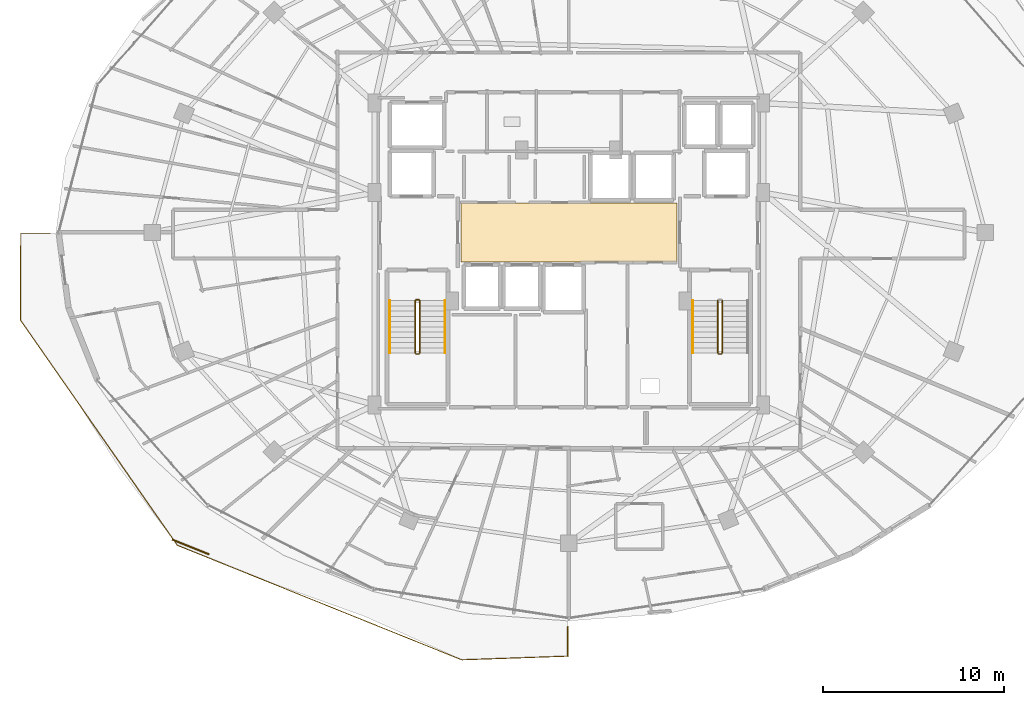
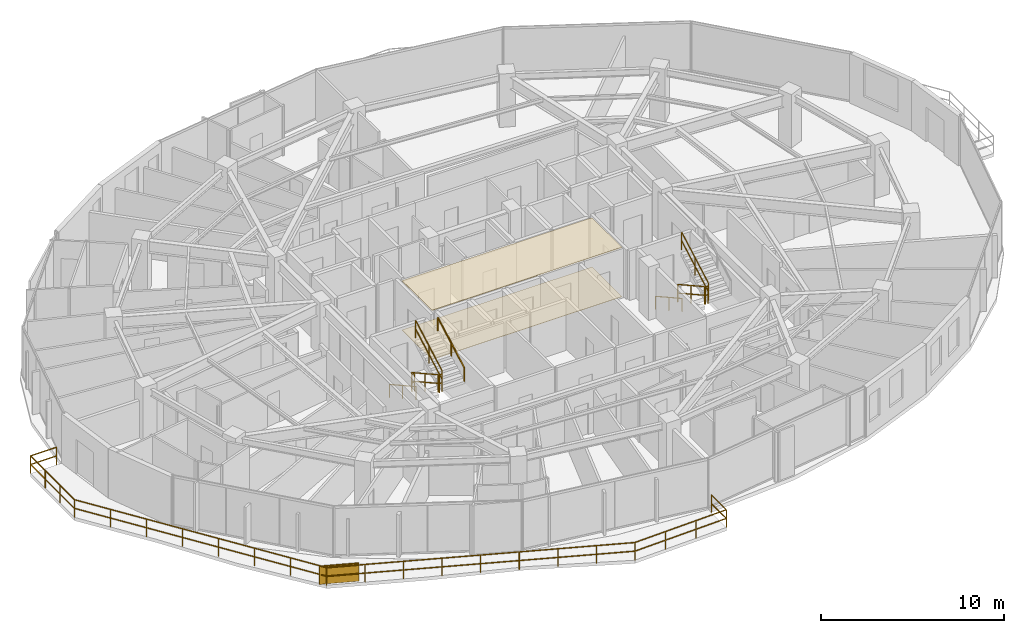
# One storey, part 31 of 33: 12 railings, 2 coverings, 1 shading device.
"""IFC4 building model written with IfcOpenShell, lengths in metres."""

from ifc_helpers import new_model, si_unit, direction, frame, origin, origin_2d, place, context, subcontext, project, spatial, polyline, rectangle, outline, extrude, material, layer, layer_set, type_object, element, save


model = new_model("IFC4")

# Units and contexts
model_context = context("Model", 3, precision=1e-05, world=origin(), true_north=direction((0.0, 1.0)))
body_context = subcontext(model_context, "Body", "Model", "MODEL_VIEW")
ifc_project = project(units=[si_unit("LENGTHUNIT", "METRE"), si_unit("AREAUNIT", "SQUARE_METRE"), si_unit("VOLUMEUNIT", "CUBIC_METRE"), si_unit("PLANEANGLEUNIT", "RADIAN"), si_unit("MASSUNIT", "GRAM", prefix="KILO")], contexts=[model_context])

# Site, building, storey
site_placement = place(None, origin())
site = spatial("IfcSite", under=ifc_project, at=site_placement, CompositionType="ELEMENT")
building_placement = place(site_placement, origin())
building = spatial("IfcBuilding", under=site, at=building_placement, Name="Vorneva Point Tower", CompositionType="ELEMENT")
storey_placement = place(building_placement, frame((0.0, 0.0, 200.10009765625)))
storey = spatial("IfcBuildingStorey", under=building, at=storey_placement, Name="L54", CompositionType="ELEMENT", Elevation=200.10009765625)

# Coverings
ifc_material_1 = material(Name="Perforated acoustic aluminium baffle ceiling", Category="aluminium")
ifc_layer_1 = layer(ifc_material_1, 0.030029296875)
ifc_layer_set_1 = layer_set([ifc_layer_1], Name="Perforated acoustic aluminium baffle ceiling")
covering_type_1 = type_object("IfcCoveringType", Name="COV-CEIL-BAF", PredefinedType="CEILING", material=ifc_layer_set_1)
covering_1_placement = place(storey_placement, frame((0.0, 0.0, 3.260009765625)))
element("IfcCovering", 1, at=covering_1_placement, inside=storey, type_object=covering_type_1, Name="L54 Lift Lobby Acoustic Baffle Ceiling", PredefinedType="CEILING", context=body_context, shape_type="SweptSolid", body=[
    extrude(outline(polyline([(32.02001953125, 24.3701171875), (43.97998046875, 24.3701171875), (43.97998046875, 27.6298828125), (32.02001953125, 27.6298828125), (32.02001953125, 24.3701171875)])), origin(), (0.0, 0.0, 1.0), 0.034912109375),
])
ifc_material_2 = material(Name="Acoustic wool hospitality carpet", Category="textile")
ifc_layer_2 = layer(ifc_material_2, 0.01806640625)
ifc_layer_set_2 = layer_set([ifc_layer_2], Name="Acoustic wool hospitality carpet")
covering_type_2 = type_object("IfcCoveringType", Name="COV-FLR-CRP", PredefinedType="FLOORING", material=ifc_layer_set_2)
covering_2_placement = place(storey_placement, frame((0.0, 0.0, -0.005126953125)))
element("IfcCovering", 2, at=covering_2_placement, inside=storey, type_object=covering_type_2, Name="L54 Lift Lobby Floor Finish", PredefinedType="FLOORING", context=body_context, shape_type="SweptSolid", body=[
    extrude(outline(polyline([(32.02001953125, 24.3701171875), (43.97998046875, 24.3701171875), (43.97998046875, 27.6298828125), (32.02001953125, 27.6298828125), (32.02001953125, 24.3701171875)])), origin(), (0.0, 0.0, 1.0), 0.02294921875),
])

# Railings
ifc_material_3 = material(Name="Pale anodised aluminium", Category="aluminium")
railing_type_1 = type_object("IfcRailingType", Name="RL-BAL-1200", PredefinedType="BALUSTRADE", material=ifc_material_3)
railing_1_placement = place(storey_placement, frame((37.949951171875, 2.54833984375, 0.0)))
element("IfcRailing", 3, at=railing_1_placement, inside=storey, type_object=railing_type_1, Name="L54 Wave Balcony Balustrade SW.1", PredefinedType="BALUSTRADE", context=body_context, shape_type="SweptSolid", body=[
    extrude(rectangle(XDim=0.048095703125, YDim=0.048095703125, at=origin_2d()), frame((0.0, 0.0, 1.17578125), z_axis=(0.0, 1.0, 0.0), x_axis=(-1.0, 0.0, 0.0)), (0.0, 0.0, 1.0), 1.634521484375),
    extrude(rectangle(XDim=0.048095703125, YDim=0.048095703125, at=origin_2d()), frame((0.0, 0.0, 0.60009765625), z_axis=(0.0, 1.0, 0.0), x_axis=(-1.0, 0.0, 0.0)), (0.0, 0.0, 1.0), 1.634521484375),
    extrude(rectangle(XDim=0.0419921875, YDim=0.0419921875, at=origin_2d()), origin(), (0.0, 0.0, 1.0), 1.15185546875),
    extrude(rectangle(XDim=0.0419921875, YDim=0.0419921875, at=origin_2d()), frame((0.0, 1.634521484375, 0.0)), (0.0, 0.0, 1.0), 1.15185546875),
])
railing_2_placement = place(storey_placement, frame((9.3037109375, 25.949951171875, 0.0)))
element("IfcRailing", 4, at=railing_2_placement, inside=storey, type_object=railing_type_1, Name="L54 Wave Balcony Balustrade SW.2", PredefinedType="BALUSTRADE", context=body_context, shape_type="SweptSolid", body=[
    extrude(rectangle(XDim=0.048095703125, YDim=0.048095703125, at=origin_2d()), frame((0.0, 0.0, 1.17578125), z_axis=(-1.0, 0.0, 0.0), x_axis=(0.0, -1.0, 0.0)), (0.0, 0.0, 1.0), 1.6337890625),
    extrude(rectangle(XDim=0.048095703125, YDim=0.048095703125, at=origin_2d()), frame((0.0, 0.0, 0.60009765625), z_axis=(-1.0, 0.0, 0.0), x_axis=(0.0, -1.0, 0.0)), (0.0, 0.0, 1.0), 1.6337890625),
    extrude(rectangle(XDim=0.048095703125, YDim=0.048095703125, at=origin_2d()), frame((-1.6337890625, 0.0, 1.17578125), z_axis=(-0.003354150975, -0.99999437482, 0.0), x_axis=(0.99999437482, -0.003354150975, 0.0)), (0.0, 0.0, 1.0), 4.803955078125),
    extrude(rectangle(XDim=0.048095703125, YDim=0.048095703125, at=origin_2d()), frame((-1.6337890625, 0.0, 0.60009765625), z_axis=(-0.003354150975, -0.99999437482, 0.0), x_axis=(0.99999437482, -0.003354150975, 0.0)), (0.0, 0.0, 1.0), 4.803955078125),
    extrude(rectangle(XDim=0.048095703125, YDim=0.048095703125, at=origin_2d()), frame((-1.64990234375, -4.803955078125, 1.17578125), z_axis=(0.571489307162, -0.820609512374, 0.0), x_axis=(0.820609512374, 0.571489307162, 0.0)), (0.0, 0.0, 1.0), 15.185302734375),
    extrude(rectangle(XDim=0.048095703125, YDim=0.048095703125, at=origin_2d()), frame((-1.64990234375, -4.803955078125, 0.60009765625), z_axis=(0.571489307162, -0.820609512374, 0.0), x_axis=(0.820609512374, 0.571489307162, 0.0)), (0.0, 0.0, 1.0), 15.185302734375),
    extrude(rectangle(XDim=0.048095703125, YDim=0.048095703125, at=origin_2d()), frame((7.0283203125, -17.26513671875, 1.17578125), z_axis=(0.927629084928, -0.373502718591, 0.0), x_axis=(0.373502718591, 0.927629084928, 0.0)), (0.0, 0.0, 1.0), 16.97265625),
    extrude(rectangle(XDim=0.048095703125, YDim=0.048095703125, at=origin_2d()), frame((7.0283203125, -17.26513671875, 0.60009765625), z_axis=(0.927629084928, -0.373502718591, 0.0), x_axis=(0.373502718591, 0.927629084928, 0.0)), (0.0, 0.0, 1.0), 16.97265625),
    extrude(rectangle(XDim=0.048095703125, YDim=0.048095703125, at=origin_2d()), frame((22.772705078125, -23.6044921875, 1.17578125), z_axis=(0.99940397483, 0.034520937031, 0.0), x_axis=(-0.034520937031, 0.99940397483, 0.0)), (0.0, 0.0, 1.0), 5.876953125),
    extrude(rectangle(XDim=0.048095703125, YDim=0.048095703125, at=origin_2d()), frame((22.772705078125, -23.6044921875, 0.60009765625), z_axis=(0.99940397483, 0.034520937031, 0.0), x_axis=(-0.034520937031, 0.99940397483, 0.0)), (0.0, 0.0, 1.0), 5.876953125),
    extrude(rectangle(XDim=0.0419921875, YDim=0.0419921875, at=origin_2d()), origin(), (0.0, 0.0, 1.0), 1.15185546875),
    extrude(rectangle(XDim=0.0419921875, YDim=0.0419921875, at=origin_2d()), frame((-1.6337890625, 0.0, 0.0)), (0.0, 0.0, 1.0), 1.15185546875),
    extrude(rectangle(XDim=0.0419921875, YDim=0.0419921875, at=origin_2d()), frame((-1.63916015625, -1.601318359375, 0.0)), (0.0, 0.0, 1.0), 1.15185546875),
    extrude(rectangle(XDim=0.0419921875, YDim=0.0419921875, at=origin_2d()), frame((-1.64453125, -3.20263671875, 0.0)), (0.0, 0.0, 1.0), 1.15185546875),
    extrude(rectangle(XDim=0.0419921875, YDim=0.0419921875, at=origin_2d()), frame((-1.64990234375, -4.803955078125, 0.0)), (0.0, 0.0, 1.0), 1.15185546875),
    extrude(rectangle(XDim=0.0419921875, YDim=0.0419921875, at=origin_2d()), frame((-0.41015625, -6.584228515625, 0.0)), (0.0, 0.0, 1.0), 1.15185546875),
    extrude(rectangle(XDim=0.0419921875, YDim=0.0419921875, at=origin_2d()), frame((0.82958984375, -8.3642578125, 0.0)), (0.0, 0.0, 1.0), 1.15185546875),
    extrude(rectangle(XDim=0.0419921875, YDim=0.0419921875, at=origin_2d()), frame((2.0693359375, -10.14453125, 0.0)), (0.0, 0.0, 1.0), 1.15185546875),
    extrude(rectangle(XDim=0.0419921875, YDim=0.0419921875, at=origin_2d()), frame((3.30908203125, -11.924560546875, 0.0)), (0.0, 0.0, 1.0), 1.15185546875),
    extrude(rectangle(XDim=0.0419921875, YDim=0.0419921875, at=origin_2d()), frame((4.548828125, -13.704833984375, 0.0)), (0.0, 0.0, 1.0), 1.15185546875),
    extrude(rectangle(XDim=0.0419921875, YDim=0.0419921875, at=origin_2d()), frame((5.78857421875, -15.48486328125, 0.0)), (0.0, 0.0, 1.0), 1.15185546875),
    extrude(rectangle(XDim=0.0419921875, YDim=0.0419921875, at=origin_2d()), frame((7.0283203125, -17.26513671875, 0.0)), (0.0, 0.0, 1.0), 1.15185546875),
    extrude(rectangle(XDim=0.0419921875, YDim=0.0419921875, at=origin_2d()), frame((8.996337890625, -18.0576171875, 0.0)), (0.0, 0.0, 1.0), 1.15185546875),
    extrude(rectangle(XDim=0.0419921875, YDim=0.0419921875, at=origin_2d()), frame((10.96435546875, -18.85009765625, 0.0)), (0.0, 0.0, 1.0), 1.15185546875),
    extrude(rectangle(XDim=0.0419921875, YDim=0.0419921875, at=origin_2d()), frame((12.932373046875, -19.642333984375, 0.0)), (0.0, 0.0, 1.0), 1.15185546875),
    extrude(rectangle(XDim=0.0419921875, YDim=0.0419921875, at=origin_2d()), frame((14.900390625, -20.434814453125, 0.0)), (0.0, 0.0, 1.0), 1.15185546875),
    extrude(rectangle(XDim=0.0419921875, YDim=0.0419921875, at=origin_2d()), frame((16.86865234375, -21.227294921875, 0.0)), (0.0, 0.0, 1.0), 1.15185546875),
    extrude(rectangle(XDim=0.0419921875, YDim=0.0419921875, at=origin_2d()), frame((18.836669921875, -22.01953125, 0.0)), (0.0, 0.0, 1.0), 1.15185546875),
    extrude(rectangle(XDim=0.0419921875, YDim=0.0419921875, at=origin_2d()), frame((20.8046875, -22.81201171875, 0.0)), (0.0, 0.0, 1.0), 1.15185546875),
    extrude(rectangle(XDim=0.0419921875, YDim=0.0419921875, at=origin_2d()), frame((22.772705078125, -23.6044921875, 0.0)), (0.0, 0.0, 1.0), 1.15185546875),
    extrude(rectangle(XDim=0.0419921875, YDim=0.0419921875, at=origin_2d()), frame((24.73046875, -23.536865234375, 0.0)), (0.0, 0.0, 1.0), 1.15185546875),
    extrude(rectangle(XDim=0.0419921875, YDim=0.0419921875, at=origin_2d()), frame((26.6884765625, -23.46923828125, 0.0)), (0.0, 0.0, 1.0), 1.15185546875),
    extrude(rectangle(XDim=0.0419921875, YDim=0.0419921875, at=origin_2d()), frame((28.646240234375, -23.401611328125, 0.0)), (0.0, 0.0, 1.0), 1.15185546875),
])
ifc_material_4 = material(Name="Brushed stainless steel S304", Category="steel")
railing_type_2 = type_object("IfcRailingType", Name="RL-HND-920", PredefinedType="HANDRAIL", material=ifc_material_4)
railing_3_placement = place(storey_placement, frame((28.10009765625, 22.219970703125, 0.161376953125)))
element("IfcRailing", 5, at=railing_3_placement, inside=storey, type_object=railing_type_2, Name="L54 ST1 stair handrail 1", PredefinedType="HANDRAIL", context=body_context, shape_type="SweptSolid", body=[
    extrude(rectangle(XDim=0.048095703125, YDim=0.048095703125, at=origin_2d()), frame((0.0, 0.0, 0.8759765625), z_axis=(0.0, -0.873841303929, 0.486211245805), x_axis=(1.0, 0.0, 0.0)), (0.0, 0.0, 1.0), 3.318603515625),
    extrude(rectangle(XDim=0.0419921875, YDim=0.0419921875, at=origin_2d()), origin(), (0.0, 0.0, 1.0), 0.851806640625),
    extrude(rectangle(XDim=0.0419921875, YDim=0.0419921875, at=origin_2d()), frame((0.0, -1.449951171875, 0.806640625)), (0.0, 0.0, 1.0), 0.851806640625),
    extrude(rectangle(XDim=0.0419921875, YDim=0.0419921875, at=origin_2d()), frame((0.0, -2.89990234375, 1.613525390625)), (0.0, 0.0, 1.0), 0.851806640625),
])
railing_4_placement = place(storey_placement, frame((31.14990234375, 19.320068359375, 1.936279296875)))
element("IfcRailing", 6, at=railing_4_placement, inside=storey, type_object=railing_type_2, Name="L54 ST1 stair handrail 2", PredefinedType="HANDRAIL", context=body_context, shape_type="SweptSolid", body=[
    extrude(rectangle(XDim=0.048095703125, YDim=0.048095703125, at=origin_2d()), frame((0.0, 0.0, 0.8759765625), z_axis=(0.0, 0.873841303929, 0.486211245805), x_axis=(-1.0, 0.0, 0.0)), (0.0, 0.0, 1.0), 3.318603515625),
    extrude(rectangle(XDim=0.0419921875, YDim=0.0419921875, at=origin_2d()), origin(), (0.0, 0.0, 1.0), 0.851806640625),
    extrude(rectangle(XDim=0.0419921875, YDim=0.0419921875, at=origin_2d()), frame((0.0, 1.449951171875, 0.806640625)), (0.0, 0.0, 1.0), 0.851806640625),
    extrude(rectangle(XDim=0.0419921875, YDim=0.0419921875, at=origin_2d()), frame((0.0, 2.89990234375, 1.613525390625)), (0.0, 0.0, 1.0), 0.851806640625),
])
railing_5_placement = place(storey_placement, frame((44.85009765625, 22.219970703125, 0.161376953125)))
element("IfcRailing", 7, at=railing_5_placement, inside=storey, type_object=railing_type_2, Name="L54 ST2 stair handrail 1", PredefinedType="HANDRAIL", context=body_context, shape_type="SweptSolid", body=[
    extrude(rectangle(XDim=0.048095703125, YDim=0.048095703125, at=origin_2d()), frame((0.0, 0.0, 0.8759765625), z_axis=(0.0, -0.873841303929, 0.486211245805), x_axis=(1.0, 0.0, 0.0)), (0.0, 0.0, 1.0), 3.318603515625),
    extrude(rectangle(XDim=0.0419921875, YDim=0.0419921875, at=origin_2d()), origin(), (0.0, 0.0, 1.0), 0.851806640625),
    extrude(rectangle(XDim=0.0419921875, YDim=0.0419921875, at=origin_2d()), frame((0.0, -1.449951171875, 0.806640625)), (0.0, 0.0, 1.0), 0.851806640625),
    extrude(rectangle(XDim=0.0419921875, YDim=0.0419921875, at=origin_2d()), frame((0.0, -2.89990234375, 1.613525390625)), (0.0, 0.0, 1.0), 0.851806640625),
])
railing_type_3 = type_object("IfcRailingType", Name="RL-STG-1100", PredefinedType="GUARDRAIL", material=ifc_material_4)
railing_6_placement = place(storey_placement, frame((29.5, 22.219970703125, 0.161376953125)))
element("IfcRailing", 8, at=railing_6_placement, inside=storey, type_object=railing_type_3, Name="L54 ST1 stair guard 1", PredefinedType="GUARDRAIL", context=body_context, shape_type="SweptSolid", body=[
    extrude(rectangle(XDim=0.048095703125, YDim=0.048095703125, at=origin_2d()), frame((0.0, 0.0, 1.17578125), z_axis=(0.0, -0.873841303929, 0.486211245805), x_axis=(1.0, 0.0, 0.0)), (0.0, 0.0, 1.0), 3.318603515625),
    extrude(rectangle(XDim=0.048095703125, YDim=0.048095703125, at=origin_2d()), frame((0.0, 0.0, 0.60009765625), z_axis=(0.0, -0.873841303929, 0.486211245805), x_axis=(1.0, 0.0, 0.0)), (0.0, 0.0, 1.0), 3.318603515625),
    extrude(rectangle(XDim=0.0419921875, YDim=0.0419921875, at=origin_2d()), origin(), (0.0, 0.0, 1.0), 1.15185546875),
    extrude(rectangle(XDim=0.0419921875, YDim=0.0419921875, at=origin_2d()), frame((0.0, -1.449951171875, 0.806640625)), (0.0, 0.0, 1.0), 1.15185546875),
    extrude(rectangle(XDim=0.0419921875, YDim=0.0419921875, at=origin_2d()), frame((0.0, -2.89990234375, 1.613525390625)), (0.0, 0.0, 1.0), 1.15185546875),
])
railing_7_placement = place(storey_placement, frame((29.550048828125, 19.27001953125, 1.77490234375)))
element("IfcRailing", 9, at=railing_7_placement, inside=storey, type_object=railing_type_3, Name="L54 ST1 stair guard 2", PredefinedType="GUARDRAIL", context=body_context, shape_type="SweptSolid", body=[
    extrude(rectangle(XDim=0.048095703125, YDim=0.048095703125, at=origin_2d()), frame((0.0, 0.0, 1.17578125), z_axis=(1.0, 0.0, 0.0), x_axis=(0.0, 1.0, 0.0)), (0.0, 0.0, 1.0), 0.14990234375),
    extrude(rectangle(XDim=0.048095703125, YDim=0.048095703125, at=origin_2d()), frame((0.0, 0.0, 0.60009765625), z_axis=(1.0, 0.0, 0.0), x_axis=(0.0, 1.0, 0.0)), (0.0, 0.0, 1.0), 0.14990234375),
    extrude(rectangle(XDim=0.0419921875, YDim=0.0419921875, at=origin_2d()), origin(), (0.0, 0.0, 1.0), 1.15185546875),
    extrude(rectangle(XDim=0.0419921875, YDim=0.0419921875, at=origin_2d()), frame((0.14990234375, 0.0, 0.0)), (0.0, 0.0, 1.0), 1.15185546875),
])
railing_8_placement = place(storey_placement, frame((29.75, 19.320068359375, 1.936279296875)))
element("IfcRailing", 10, at=railing_8_placement, inside=storey, type_object=railing_type_3, Name="L54 ST1 stair guard 3", PredefinedType="GUARDRAIL", context=body_context, shape_type="SweptSolid", body=[
    extrude(rectangle(XDim=0.048095703125, YDim=0.048095703125, at=origin_2d()), frame((0.0, 0.0, 1.17578125), z_axis=(0.0, 0.873841303929, 0.486211245805), x_axis=(-1.0, 0.0, 0.0)), (0.0, 0.0, 1.0), 3.318603515625),
    extrude(rectangle(XDim=0.048095703125, YDim=0.048095703125, at=origin_2d()), frame((0.0, 0.0, 0.60009765625), z_axis=(0.0, 0.873841303929, 0.486211245805), x_axis=(-1.0, 0.0, 0.0)), (0.0, 0.0, 1.0), 3.318603515625),
    extrude(rectangle(XDim=0.0419921875, YDim=0.0419921875, at=origin_2d()), origin(), (0.0, 0.0, 1.0), 1.15185546875),
    extrude(rectangle(XDim=0.0419921875, YDim=0.0419921875, at=origin_2d()), frame((0.0, 1.449951171875, 0.806640625)), (0.0, 0.0, 1.0), 1.15185546875),
    extrude(rectangle(XDim=0.0419921875, YDim=0.0419921875, at=origin_2d()), frame((0.0, 2.89990234375, 1.613525390625)), (0.0, 0.0, 1.0), 1.15185546875),
])
railing_9_placement = place(storey_placement, frame((29.550048828125, 22.27001953125, 0.0)))
element("IfcRailing", 11, at=railing_9_placement, inside=storey, type_object=railing_type_3, Name="L54 ST1 stair guard 4", PredefinedType="GUARDRAIL", context=body_context, shape_type="SweptSolid", body=[
    extrude(rectangle(XDim=0.048095703125, YDim=0.048095703125, at=origin_2d()), frame((0.0, 0.0, 1.17578125), z_axis=(1.0, 0.0, 0.0), x_axis=(0.0, 1.0, 0.0)), (0.0, 0.0, 1.0), 0.14990234375),
    extrude(rectangle(XDim=0.048095703125, YDim=0.048095703125, at=origin_2d()), frame((0.0, 0.0, 0.60009765625), z_axis=(1.0, 0.0, 0.0), x_axis=(0.0, 1.0, 0.0)), (0.0, 0.0, 1.0), 0.14990234375),
    extrude(rectangle(XDim=0.0419921875, YDim=0.0419921875, at=origin_2d()), origin(), (0.0, 0.0, 1.0), 1.15185546875),
    extrude(rectangle(XDim=0.0419921875, YDim=0.0419921875, at=origin_2d()), frame((0.14990234375, 0.0, 0.0)), (0.0, 0.0, 1.0), 1.15185546875),
])
railing_10_placement = place(storey_placement, frame((46.25, 22.219970703125, 0.161376953125)))
element("IfcRailing", 12, at=railing_10_placement, inside=storey, type_object=railing_type_3, Name="L54 ST2 stair guard 1", PredefinedType="GUARDRAIL", context=body_context, shape_type="SweptSolid", body=[
    extrude(rectangle(XDim=0.048095703125, YDim=0.048095703125, at=origin_2d()), frame((0.0, 0.0, 1.17578125), z_axis=(0.0, -0.873841303929, 0.486211245805), x_axis=(1.0, 0.0, 0.0)), (0.0, 0.0, 1.0), 3.318603515625),
    extrude(rectangle(XDim=0.048095703125, YDim=0.048095703125, at=origin_2d()), frame((0.0, 0.0, 0.60009765625), z_axis=(0.0, -0.873841303929, 0.486211245805), x_axis=(1.0, 0.0, 0.0)), (0.0, 0.0, 1.0), 3.318603515625),
    extrude(rectangle(XDim=0.0419921875, YDim=0.0419921875, at=origin_2d()), origin(), (0.0, 0.0, 1.0), 1.15185546875),
    extrude(rectangle(XDim=0.0419921875, YDim=0.0419921875, at=origin_2d()), frame((0.0, -1.449951171875, 0.806640625)), (0.0, 0.0, 1.0), 1.15185546875),
    extrude(rectangle(XDim=0.0419921875, YDim=0.0419921875, at=origin_2d()), frame((0.0, -2.89990234375, 1.613525390625)), (0.0, 0.0, 1.0), 1.15185546875),
])
railing_11_placement = place(storey_placement, frame((46.300048828125, 19.27001953125, 1.77490234375)))
element("IfcRailing", 13, at=railing_11_placement, inside=storey, type_object=railing_type_3, Name="L54 ST2 stair guard 2", PredefinedType="GUARDRAIL", context=body_context, shape_type="SweptSolid", body=[
    extrude(rectangle(XDim=0.048095703125, YDim=0.048095703125, at=origin_2d()), frame((0.0, 0.0, 1.17578125), z_axis=(1.0, 0.0, 0.0), x_axis=(0.0, 1.0, 0.0)), (0.0, 0.0, 1.0), 0.14990234375),
    extrude(rectangle(XDim=0.048095703125, YDim=0.048095703125, at=origin_2d()), frame((0.0, 0.0, 0.60009765625), z_axis=(1.0, 0.0, 0.0), x_axis=(0.0, 1.0, 0.0)), (0.0, 0.0, 1.0), 0.14990234375),
    extrude(rectangle(XDim=0.0419921875, YDim=0.0419921875, at=origin_2d()), origin(), (0.0, 0.0, 1.0), 1.15185546875),
    extrude(rectangle(XDim=0.0419921875, YDim=0.0419921875, at=origin_2d()), frame((0.14990234375, 0.0, 0.0)), (0.0, 0.0, 1.0), 1.15185546875),
])
railing_12_placement = place(storey_placement, frame((46.5, 19.320068359375, 1.936279296875)))
element("IfcRailing", 14, at=railing_12_placement, inside=storey, type_object=railing_type_3, Name="L54 ST2 stair guard 3", PredefinedType="GUARDRAIL", context=body_context, shape_type="SweptSolid", body=[
    extrude(rectangle(XDim=0.048095703125, YDim=0.048095703125, at=origin_2d()), frame((0.0, 0.0, 1.17578125), z_axis=(0.0, 0.873841303929, 0.486211245805), x_axis=(-1.0, 0.0, 0.0)), (0.0, 0.0, 1.0), 3.318603515625),
    extrude(rectangle(XDim=0.048095703125, YDim=0.048095703125, at=origin_2d()), frame((0.0, 0.0, 0.60009765625), z_axis=(0.0, 0.873841303929, 0.486211245805), x_axis=(-1.0, 0.0, 0.0)), (0.0, 0.0, 1.0), 3.318603515625),
    extrude(rectangle(XDim=0.0419921875, YDim=0.0419921875, at=origin_2d()), origin(), (0.0, 0.0, 1.0), 1.15185546875),
    extrude(rectangle(XDim=0.0419921875, YDim=0.0419921875, at=origin_2d()), frame((0.0, 1.449951171875, 0.806640625)), (0.0, 0.0, 1.0), 1.15185546875),
    extrude(rectangle(XDim=0.0419921875, YDim=0.0419921875, at=origin_2d()), frame((0.0, 2.89990234375, 1.613525390625)), (0.0, 0.0, 1.0), 1.15185546875),
])

# Shading device
shading_device_type = type_object("IfcShadingDeviceType", Name="SHD-JAL-1200", PredefinedType="JALOUSIE", material=ifc_material_3)
shading_device_placement = place(storey_placement, frame((17.071044921875, 8.596923828125, -0.02001953125), z_axis=(0.0, 0.0, 1.0), x_axis=(0.928109418915, -0.372307542928, 0.0)))
element("IfcShadingDevice", 15, at=shading_device_placement, inside=storey, type_object=shading_device_type, Name="L54 Balcony Vertical-Greenery Planter Screen SW.2", PredefinedType="JALOUSIE", context=body_context, shape_type="SweptSolid", body=[
    extrude(rectangle(XDim=2.199951171875, YDim=0.080078125, at=origin_2d()), origin(), (0.0, 0.0, 1.0), 1.199951171875),
])

save(model, "model.ifc")
